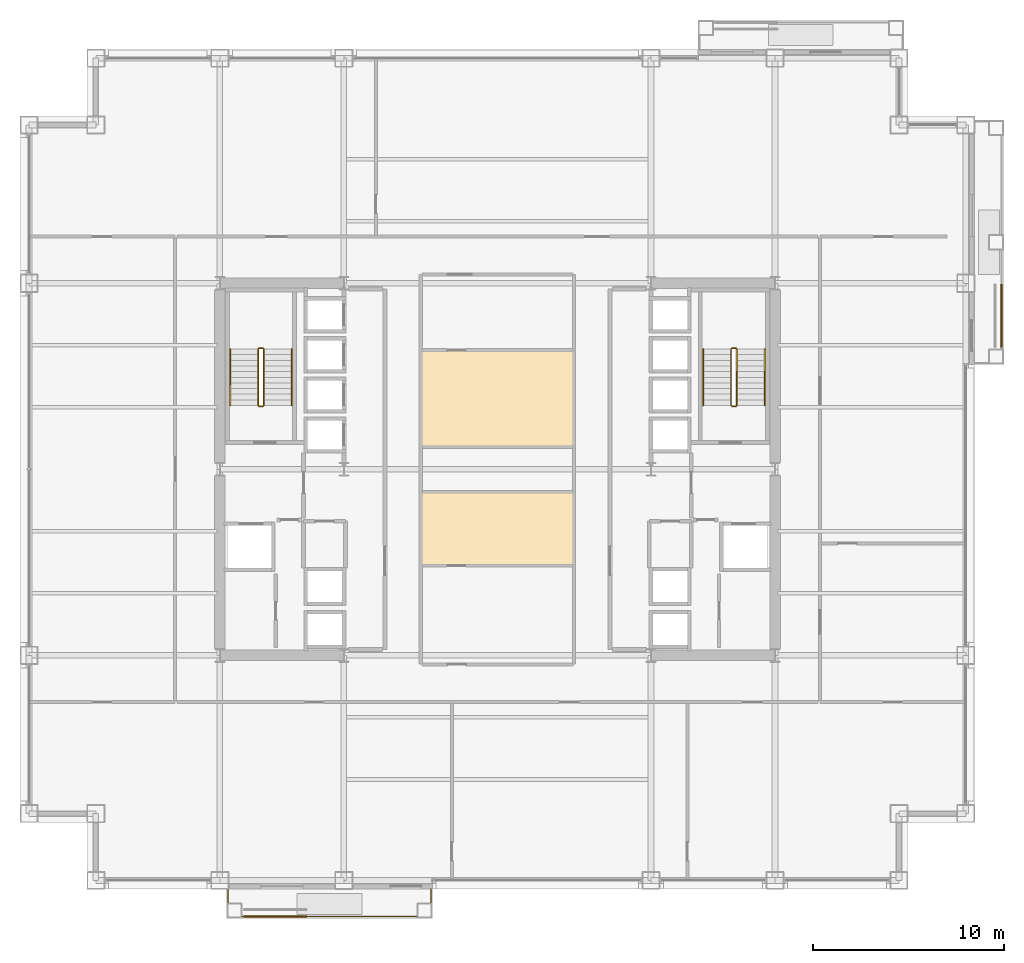
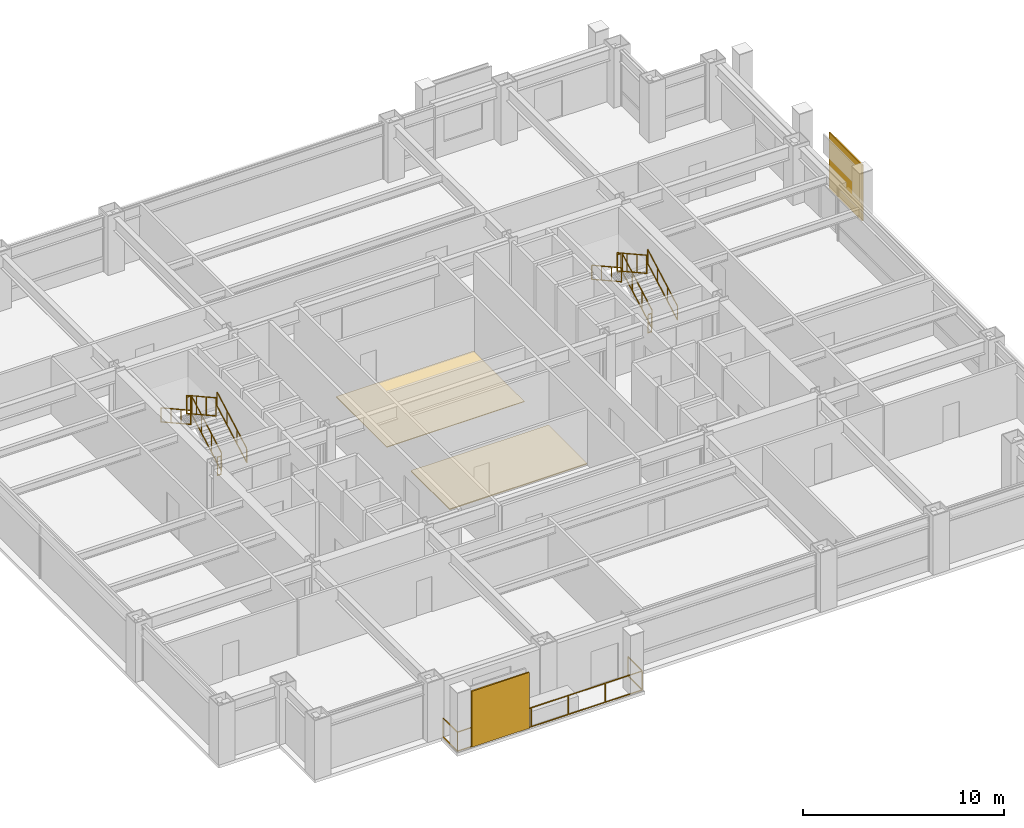
# One storey, part 29 of 31: 13 railings, 2 coverings, 2 shading devices.
"""IFC4 building model written with IfcOpenShell, lengths in metres."""

import ifcopenshell
import ifcopenshell.guid

model = None  # the IFC model being written
_history = None  # IfcOwnerHistory: only IFC2X3 demands one
_inside = {}  # id of a spatial element -> (the spatial element, [elements in it])
_under = {}  # id of a project, library or spatial element -> (it, [spatial elements below it])
_declared = {}  # id of a project -> (the project, [libraries it declares])
_typed = {}  # id of a type object -> (the type object, [elements of that type])
_made_of = {}  # id of a material, layer set ... -> (it, [elements and type objects made of it])


def new_model(schema):
    """Start an empty IFC model of exactly this schema.

    Asked for "IFC4X3", IfcOpenShell would pick the latest addendum, in which some entities
    have other attributes; the version numbers below select the first issue.
    IFC2X3 requires an IfcOwnerHistory on every rooted entity: one is made here for all.
    """
    global model, _history
    if schema == "IFC4X3":
        model = ifcopenshell.file(schema_version=(4, 3, 0, 0))
    else:
        model = ifcopenshell.file(schema=schema)
    _inside.clear()
    _under.clear()
    _declared.clear()
    _typed.clear()
    _made_of.clear()
    _history = None
    if model.schema == "IFC2X3":
        org = make("IfcOrganization", Name="unknown")
        user = make(
            "IfcPersonAndOrganization",
            ThePerson=make("IfcPerson", FamilyName="unknown"),
            TheOrganization=org,
        )
        app = make(
            "IfcApplication",
            ApplicationDeveloper=org,
            Version="unknown",
            ApplicationFullName="unknown",
            ApplicationIdentifier="unknown",
        )
        _history = make(
            "IfcOwnerHistory",
            OwningUser=user,
            OwningApplication=app,
            ChangeAction="ADDED",
            CreationDate=0,
        )
    return model


def make(cls, **values):
    """One entity of the class cls with the attributes given. An attribute that is None is left unset."""
    return model.create_entity(
        cls, **{name: value for name, value in values.items() if value is not None}
    )


def rooted(cls, **values):
    """An entity with a GlobalId (a new one), such as an element, a storey or a relation."""
    return make(cls, GlobalId=ifcopenshell.guid.new(), OwnerHistory=_history, **values)


def si_unit(unit_type, name, prefix=None):
    """IfcSIUnit, for example si_unit("LENGTHUNIT", "METRE", prefix="MILLI")."""
    return make("IfcSIUnit", UnitType=unit_type, Prefix=prefix, Name=name)


def assignment(units):
    """IfcUnitAssignment: the units of a project."""
    return None if units is None else make("IfcUnitAssignment", Units=units)


def point(xyz):
    """IfcCartesianPoint."""
    return None if xyz is None else make("IfcCartesianPoint", Coordinates=xyz)


def direction(xyz):
    """IfcDirection."""
    return None if xyz is None else make("IfcDirection", DirectionRatios=xyz)


def frame(location, z_axis=None, x_axis=None):
    """IfcAxis2Placement3D, a coordinate frame: its origin and axes. An axis left out is left unset."""
    return make(
        "IfcAxis2Placement3D",
        Location=point(location),
        Axis=direction(z_axis),
        RefDirection=direction(x_axis),
    )


def frame_2d(location, x_axis=None):
    """IfcAxis2Placement2D, a coordinate frame in the plane: its origin and x axis."""
    return make(
        "IfcAxis2Placement2D", Location=point(location), RefDirection=direction(x_axis)
    )


def origin():
    """The frame at (0, 0, 0) with its axes left unset."""
    return frame((0.0, 0.0, 0.0))


def origin_2d():
    """The frame at (0, 0) in the plane with its x axis left unset."""
    return frame_2d((0.0, 0.0))


def place(relative_to, where):
    """IfcLocalPlacement: puts the frame where relative to a parent placement (None: the world)."""
    return make(
        "IfcLocalPlacement", PlacementRelTo=relative_to, RelativePlacement=where
    )


def context(
    kind, dimensions, precision=None, world=None, true_north=None, identifier=None
):
    """IfcGeometricRepresentationContext, for example the 3D "Model" context."""
    return make(
        "IfcGeometricRepresentationContext",
        ContextIdentifier=identifier,
        ContextType=kind,
        CoordinateSpaceDimension=dimensions,
        Precision=precision,
        WorldCoordinateSystem=world,
        TrueNorth=true_north,
    )


def subcontext(parent, identifier, kind, view, scale=None):
    """IfcGeometricRepresentationSubContext, for example "Body" below "Model"."""
    return make(
        "IfcGeometricRepresentationSubContext",
        ContextIdentifier=identifier,
        ContextType=kind,
        ParentContext=parent,
        TargetScale=scale,
        TargetView=view,
    )


def project(units=None, contexts=None):
    """IfcProject with its units and contexts."""
    return rooted(
        "IfcProject",
        Name="project",
        RepresentationContexts=contexts,
        UnitsInContext=assignment(units),
    )


def spatial(cls, under=None, at=None, **own):
    """A site, building, storey or space (cls), placed at a placement, below another one or the project."""
    s = rooted(cls, ObjectPlacement=at, **own)
    if under is not None:
        _under.setdefault(under.id(), (under, []))[1].append(s)
    return s


def polyline(points):
    """IfcPolyline through the points."""
    return make("IfcPolyline", Points=[point(p) for p in points])


def profile(cls, at=None, kind="AREA", **sizes):
    """A parametric profile (cls). Its sizes go by their IFC names, for example OverallWidth=200.0."""
    return make(cls, ProfileType=kind, Position=at, **sizes)


def rectangle(**sizes):
    """IfcRectangleProfileDef."""
    return profile("IfcRectangleProfileDef", **sizes)


def outline(outer, holes=None, kind="AREA"):
    """IfcArbitraryClosedProfileDef: a profile drawn as a closed curve; with holes, ...WithVoids."""
    if holes is None:
        return make("IfcArbitraryClosedProfileDef", ProfileType=kind, OuterCurve=outer)
    return make(
        "IfcArbitraryProfileDefWithVoids",
        ProfileType=kind,
        OuterCurve=outer,
        InnerCurves=holes,
    )


def extrude(swept, where, along, depth):
    """IfcExtrudedAreaSolid: the profile swept, set in the frame where, extruded along a direction by depth."""
    return make(
        "IfcExtrudedAreaSolid",
        SweptArea=swept,
        Position=where,
        ExtrudedDirection=direction(along),
        Depth=depth,
    )


def shape(context_of_items, identifier, shape_type, items):
    """IfcShapeRepresentation: the items that make up one representation, for example the "Body"."""
    return make(
        "IfcShapeRepresentation",
        ContextOfItems=context_of_items,
        RepresentationIdentifier=identifier,
        RepresentationType=shape_type,
        Items=items,
    )


def material(Name=None, Category=None):
    """IfcMaterial."""
    return make("IfcMaterial", Name=Name, Category=Category)


def layer(
    of_material, thickness, ventilated=None, Name=None, Category=None, Priority=None
):
    """IfcMaterialLayer: one layer of a wall or slab, of a material (None: an air gap)."""
    return make(
        "IfcMaterialLayer",
        Material=of_material,
        LayerThickness=thickness,
        IsVentilated=ventilated,
        Name=Name,
        Category=Category,
        Priority=Priority,
    )


def layer_set(layers, Name=None):
    """IfcMaterialLayerSet."""
    return make("IfcMaterialLayerSet", MaterialLayers=layers, LayerSetName=Name)


def made_of(thing, what):
    """Note that an element or type object is made of a material, layer set ...; save() writes the relation."""
    if what is not None:
        _made_of.setdefault(what.id(), (what, []))[1].append(thing)
    return thing


def type_object(cls, material=None, **own):
    """A type object (cls), such as IfcWallType, which elements share."""
    return made_of(rooted(cls, **own), material)


def element(
    cls,
    number,
    at=None,
    inside=None,
    cuts=None,
    type_object=None,
    material=None,
    context=None,
    identifier="Body",
    shape_type=None,
    held_by="IfcProductDefinitionShape",
    body=None,
    shapes=None,
    **own,
):
    """One element of the class cls, such as IfcWall. Its Tag is "e" and its number.

    at: its placement. inside: the storey or other place that contains it. cuts: it is an
    opening in that element (IfcRelVoidsElement). A single representation is given by context,
    identifier, shape_type and body (its items); several are given by shapes. held_by: the class
    of the entity that holds the representations. save() writes the other relations.
    """
    e = rooted(cls, Tag="e%d" % number, ObjectPlacement=at, **own)
    if body is not None:
        shapes = [shape(context, identifier, shape_type, body)]
    if shapes is not None:
        e.Representation = make(held_by, Representations=shapes)
    if inside is not None:
        _inside.setdefault(inside.id(), (inside, []))[1].append(e)
    if cuts is not None:
        rooted(
            "IfcRelVoidsElement", RelatingBuildingElement=cuts, RelatedOpeningElement=e
        )
    if type_object is not None:
        _typed.setdefault(type_object.id(), (type_object, []))[1].append(e)
    return made_of(e, material)


def aggregate(whole, parts):
    """IfcRelAggregates: a whole, such as a stair, and the parts it consists of."""
    return rooted("IfcRelAggregates", RelatingObject=whole, RelatedObjects=parts)


def save(model, path):
    """Write the relations noted so far, then the file.

    IfcRelAggregates (storeys below a building ...), IfcRelContainedInSpatialStructure (elements
    in a storey), IfcRelDefinesByType, IfcRelAssociatesMaterial and IfcRelDeclares: one each for
    every whole, place, type object, material and project.
    """
    for whole, parts in _under.values():
        aggregate(whole, parts)
    for where, things in _inside.values():
        rooted(
            "IfcRelContainedInSpatialStructure",
            RelatedElements=things,
            RelatingStructure=where,
        )
    for kind, things in _typed.values():
        rooted("IfcRelDefinesByType", RelatedObjects=things, RelatingType=kind)
    for what, things in _made_of.values():
        rooted("IfcRelAssociatesMaterial", RelatedObjects=things, RelatingMaterial=what)
    for by, libraries in _declared.values():
        rooted("IfcRelDeclares", RelatingContext=by, RelatedDefinitions=libraries)
    model.write(path)


model = new_model("IFC4")

# Units and contexts
model_context = context("Model", 3, precision=1e-05, world=origin(), true_north=direction((0.0, 1.0)))
body_context = subcontext(model_context, "Body", "Model", "MODEL_VIEW")
ifc_project = project(units=[si_unit("LENGTHUNIT", "METRE"), si_unit("AREAUNIT", "SQUARE_METRE"), si_unit("VOLUMEUNIT", "CUBIC_METRE"), si_unit("PLANEANGLEUNIT", "RADIAN"), si_unit("MASSUNIT", "GRAM", prefix="KILO")], contexts=[model_context])

# Site, building, storey
site_placement = place(None, origin())
site = spatial("IfcSite", under=ifc_project, at=site_placement, CompositionType="ELEMENT")
building_placement = place(site_placement, origin())
building = spatial("IfcBuilding", under=site, at=building_placement, Name="Brelmoor Portico Tower", CompositionType="ELEMENT")
storey_placement = place(building_placement, frame((0.0, 0.0, 31.199951171875)))
storey = spatial("IfcBuildingStorey", under=building, at=storey_placement, Name="L07", CompositionType="ELEMENT", Elevation=31.199951171875)

# Coverings
ifc_material_1 = material(Name="Calcium-Sulphate Raised Access Floor Panel", Category="steel")
ifc_layer_1 = layer(ifc_material_1, 0.06005859375)
ifc_layer_set_1 = layer_set([ifc_layer_1], Name="Calcium-Sulphate Raised Access Floor Panel")
covering_type_1 = type_object("IfcCoveringType", Name="CV-FLR-ACCESS-60", PredefinedType="FLOORING", material=ifc_layer_set_1)
covering_1_placement = place(storey_placement, origin())
element("IfcCovering", 1, at=covering_1_placement, inside=storey, type_object=covering_type_1, Name="L07 Architectural Floor Finish 02", PredefinedType="FLOORING", context=body_context, shape_type="SweptSolid", body=[
    extrude(outline(polyline([(-3.9599609375, -5.06005859375), (-3.9599609375, -1.199951171875), (3.9599609375, -1.199951171875), (3.9599609375, -5.06005859375), (-3.9599609375, -5.06005859375)])), origin(), (0.0, 0.0, 1.0), 0.06005859375),
])
ifc_material_2 = material(Name="Honed Pearl-Grey Granite Paver Finish", Category="masonry")
ifc_layer_2 = layer(ifc_material_2, 0.0380859375)
ifc_layer_set_2 = layer_set([ifc_layer_2], Name="Honed Pearl-Grey Granite Paver Finish")
covering_type_2 = type_object("IfcCoveringType", Name="CV-FLR-GRANITE-38", PredefinedType="FLOORING", material=ifc_layer_set_2)
covering_2_placement = place(storey_placement, origin())
element("IfcCovering", 2, at=covering_2_placement, inside=storey, type_object=covering_type_2, Name="L07 Architectural Floor Finish 01", PredefinedType="FLOORING", context=body_context, shape_type="SweptSolid", body=[
    extrude(outline(polyline([(-3.9599609375, 1.199951171875), (-3.9599609375, 6.260009765625), (3.9599609375, 6.260009765625), (3.9599609375, 1.199951171875), (-3.9599609375, 1.199951171875)])), origin(), (0.0, 0.0, 1.0), 0.0380859375),
])

# Railings
ifc_material_3 = material(Name="Perforated Pale Champagne Aluminium Fretwork Guard", Category="aluminium")
railing_type_1 = type_object("IfcRailingType", Name="RL-BALUSTRADE-1200", PredefinedType="BALUSTRADE", material=ifc_material_3)
railing_1_placement = place(storey_placement, frame((-14.1201171875, -22.0, 0.0)))
element("IfcRailing", 3, at=railing_1_placement, inside=storey, type_object=railing_type_1, Name="L07 Tree Balcony Fretwork Balustrade S", PredefinedType="BALUSTRADE", context=body_context, shape_type="SweptSolid", body=[
    extrude(rectangle(XDim=0.048095703125, YDim=0.048095703125, at=origin_2d()), frame((0.0, 0.0, 1.17578125), z_axis=(0.0, -1.0, 0.0), x_axis=(1.0, 0.0, 0.0)), (0.0, 0.0, 1.0), 1.429931640625),
    extrude(rectangle(XDim=0.048095703125, YDim=0.048095703125, at=origin_2d()), frame((0.0, 0.0, 0.02392578125), z_axis=(0.0, -1.0, 0.0), x_axis=(1.0, 0.0, 0.0)), (0.0, 0.0, 1.0), 1.429931640625),
    extrude(rectangle(XDim=0.048095703125, YDim=0.048095703125, at=origin_2d()), frame((0.0, -1.429931640625, 1.17578125), z_axis=(1.0, 0.0, 0.0), x_axis=(0.0, 1.0, 0.0)), (0.0, 0.0, 1.0), 10.64013671875),
    extrude(rectangle(XDim=0.048095703125, YDim=0.048095703125, at=origin_2d()), frame((0.0, -1.429931640625, 0.02392578125), z_axis=(1.0, 0.0, 0.0), x_axis=(0.0, 1.0, 0.0)), (0.0, 0.0, 1.0), 10.64013671875),
    extrude(rectangle(XDim=0.048095703125, YDim=0.048095703125, at=origin_2d()), frame((10.64013671875, -1.429931640625, 1.17578125), z_axis=(0.0, 1.0, 0.0), x_axis=(-1.0, 0.0, 0.0)), (0.0, 0.0, 1.0), 1.429931640625),
    extrude(rectangle(XDim=0.048095703125, YDim=0.048095703125, at=origin_2d()), frame((10.64013671875, -1.429931640625, 0.02392578125), z_axis=(0.0, 1.0, 0.0), x_axis=(-1.0, 0.0, 0.0)), (0.0, 0.0, 1.0), 1.429931640625),
    extrude(rectangle(XDim=0.0419921875, YDim=0.0419921875, at=origin_2d()), origin(), (0.0, 0.0, 1.0), 1.15185546875),
    extrude(rectangle(XDim=0.0419921875, YDim=0.0419921875, at=origin_2d()), frame((0.0, -1.429931640625, 0.0)), (0.0, 0.0, 1.0), 1.15185546875),
    extrude(rectangle(XDim=0.0419921875, YDim=0.0419921875, at=origin_2d()), frame((2.1279296875, -1.429931640625, 0.0)), (0.0, 0.0, 1.0), 1.15185546875),
    extrude(rectangle(XDim=0.0419921875, YDim=0.0419921875, at=origin_2d()), frame((4.256103515625, -1.429931640625, 0.0)), (0.0, 0.0, 1.0), 1.15185546875),
    extrude(rectangle(XDim=0.0419921875, YDim=0.0419921875, at=origin_2d()), frame((6.384033203125, -1.429931640625, 0.0)), (0.0, 0.0, 1.0), 1.15185546875),
    extrude(rectangle(XDim=0.0419921875, YDim=0.0419921875, at=origin_2d()), frame((8.51220703125, -1.429931640625, 0.0)), (0.0, 0.0, 1.0), 1.15185546875),
    extrude(rectangle(XDim=0.0419921875, YDim=0.0419921875, at=origin_2d()), frame((10.64013671875, -1.429931640625, 0.0)), (0.0, 0.0, 1.0), 1.15185546875),
    extrude(rectangle(XDim=0.0419921875, YDim=0.0419921875, at=origin_2d()), frame((10.64013671875, 0.0, 0.0)), (0.0, 0.0, 1.0), 1.15185546875),
])
ifc_material_4 = material(Name="Painted Tubular Steel Q235B", Category="steel")
railing_type_2 = type_object("IfcRailingType", Name="RL-STAIR-GUARD", PredefinedType="GUARDRAIL", material=ifc_material_4)
railing_2_placement = place(storey_placement, frame((-12.239990234375, 3.35009765625, 0.16357421875)))
element("IfcRailing", 4, at=railing_2_placement, inside=storey, type_object=railing_type_2, Name="L07 ST-W stair guard 1", PredefinedType="GUARDRAIL", context=body_context, shape_type="SweptSolid", body=[
    extrude(rectangle(XDim=0.048095703125, YDim=0.048095703125, at=origin_2d()), frame((0.0, 0.0, 1.1259765625), z_axis=(0.0, 0.874457516365, 0.485102104791), x_axis=(-1.0, 0.0, 0.0)), (0.0, 0.0, 1.0), 3.37353515625),
    extrude(rectangle(XDim=0.048095703125, YDim=0.048095703125, at=origin_2d()), frame((0.0, 0.0, 0.02392578125), z_axis=(0.0, 0.874457516365, 0.485102104791), x_axis=(-1.0, 0.0, 0.0)), (0.0, 0.0, 1.0), 3.37353515625),
    extrude(rectangle(XDim=0.0419921875, YDim=0.0419921875, at=origin_2d()), origin(), (0.0, 0.0, 1.0), 1.101806640625),
    extrude(rectangle(XDim=0.0419921875, YDim=0.0419921875, at=origin_2d()), frame((0.0, 0.9833984375, 0.54541015625)), (0.0, 0.0, 1.0), 1.101806640625),
    extrude(rectangle(XDim=0.0419921875, YDim=0.0419921875, at=origin_2d()), frame((0.0, 1.966552734375, 1.091064453125)), (0.0, 0.0, 1.0), 1.101806640625),
    extrude(rectangle(XDim=0.0419921875, YDim=0.0419921875, at=origin_2d()), frame((0.0, 2.949951171875, 1.636474609375)), (0.0, 0.0, 1.0), 1.101806640625),
])
railing_3_placement = place(storey_placement, frame((-12.2900390625, 6.35009765625, 1.800048828125)))
element("IfcRailing", 5, at=railing_3_placement, inside=storey, type_object=railing_type_2, Name="L07 ST-W stair guard 2", PredefinedType="GUARDRAIL", context=body_context, shape_type="SweptSolid", body=[
    extrude(rectangle(XDim=0.048095703125, YDim=0.048095703125, at=origin_2d()), frame((0.0, 0.0, 1.1259765625), z_axis=(-1.0, 0.0, 0.0), x_axis=(0.0, -1.0, 0.0)), (0.0, 0.0, 1.0), 0.199951171875),
    extrude(rectangle(XDim=0.048095703125, YDim=0.048095703125, at=origin_2d()), frame((0.0, 0.0, 0.02392578125), z_axis=(-1.0, 0.0, 0.0), x_axis=(0.0, -1.0, 0.0)), (0.0, 0.0, 1.0), 0.199951171875),
    extrude(rectangle(XDim=0.0419921875, YDim=0.0419921875, at=origin_2d()), origin(), (0.0, 0.0, 1.0), 1.101806640625),
    extrude(rectangle(XDim=0.0419921875, YDim=0.0419921875, at=origin_2d()), frame((-0.199951171875, 0.0, 0.0)), (0.0, 0.0, 1.0), 1.101806640625),
])
railing_4_placement = place(storey_placement, frame((-12.5400390625, 6.300048828125, 1.963623046875)))
element("IfcRailing", 6, at=railing_4_placement, inside=storey, type_object=railing_type_2, Name="L07 ST-W stair guard 3", PredefinedType="GUARDRAIL", context=body_context, shape_type="SweptSolid", body=[
    extrude(rectangle(XDim=0.048095703125, YDim=0.048095703125, at=origin_2d()), frame((0.0, 0.0, 1.1259765625), z_axis=(0.0, -0.874457516365, 0.485102104791), x_axis=(1.0, 0.0, 0.0)), (0.0, 0.0, 1.0), 3.37353515625),
    extrude(rectangle(XDim=0.048095703125, YDim=0.048095703125, at=origin_2d()), frame((0.0, 0.0, 0.02392578125), z_axis=(0.0, -0.874457516365, 0.485102104791), x_axis=(1.0, 0.0, 0.0)), (0.0, 0.0, 1.0), 3.37353515625),
    extrude(rectangle(XDim=0.0419921875, YDim=0.0419921875, at=origin_2d()), origin(), (0.0, 0.0, 1.0), 1.101806640625),
    extrude(rectangle(XDim=0.0419921875, YDim=0.0419921875, at=origin_2d()), frame((0.0, -0.9833984375, 0.54541015625)), (0.0, 0.0, 1.0), 1.101806640625),
    extrude(rectangle(XDim=0.0419921875, YDim=0.0419921875, at=origin_2d()), frame((0.0, -1.966552734375, 1.091064453125)), (0.0, 0.0, 1.0), 1.101806640625),
    extrude(rectangle(XDim=0.0419921875, YDim=0.0419921875, at=origin_2d()), frame((0.0, -2.949951171875, 1.636474609375)), (0.0, 0.0, 1.0), 1.101806640625),
])
railing_5_placement = place(storey_placement, frame((-12.2900390625, 3.300048828125, 0.0)))
element("IfcRailing", 7, at=railing_5_placement, inside=storey, type_object=railing_type_2, Name="L07 ST-W stair guard 4", PredefinedType="GUARDRAIL", context=body_context, shape_type="SweptSolid", body=[
    extrude(rectangle(XDim=0.048095703125, YDim=0.048095703125, at=origin_2d()), frame((0.0, 0.0, 1.1259765625), z_axis=(-1.0, 0.0, 0.0), x_axis=(0.0, -1.0, 0.0)), (0.0, 0.0, 1.0), 0.199951171875),
    extrude(rectangle(XDim=0.048095703125, YDim=0.048095703125, at=origin_2d()), frame((0.0, 0.0, 0.02392578125), z_axis=(-1.0, 0.0, 0.0), x_axis=(0.0, -1.0, 0.0)), (0.0, 0.0, 1.0), 0.199951171875),
    extrude(rectangle(XDim=0.0419921875, YDim=0.0419921875, at=origin_2d()), origin(), (0.0, 0.0, 1.0), 1.101806640625),
    extrude(rectangle(XDim=0.0419921875, YDim=0.0419921875, at=origin_2d()), frame((-0.199951171875, 0.0, 0.0)), (0.0, 0.0, 1.0), 1.101806640625),
])
railing_6_placement = place(storey_placement, frame((12.5400390625, 3.35009765625, 0.16357421875)))
element("IfcRailing", 8, at=railing_6_placement, inside=storey, type_object=railing_type_2, Name="L07 ST-E stair guard 1", PredefinedType="GUARDRAIL", context=body_context, shape_type="SweptSolid", body=[
    extrude(rectangle(XDim=0.048095703125, YDim=0.048095703125, at=origin_2d()), frame((0.0, 0.0, 1.1259765625), z_axis=(0.0, 0.874457516365, 0.485102104791), x_axis=(-1.0, 0.0, 0.0)), (0.0, 0.0, 1.0), 3.37353515625),
    extrude(rectangle(XDim=0.048095703125, YDim=0.048095703125, at=origin_2d()), frame((0.0, 0.0, 0.02392578125), z_axis=(0.0, 0.874457516365, 0.485102104791), x_axis=(-1.0, 0.0, 0.0)), (0.0, 0.0, 1.0), 3.37353515625),
    extrude(rectangle(XDim=0.0419921875, YDim=0.0419921875, at=origin_2d()), origin(), (0.0, 0.0, 1.0), 1.101806640625),
    extrude(rectangle(XDim=0.0419921875, YDim=0.0419921875, at=origin_2d()), frame((0.0, 0.9833984375, 0.54541015625)), (0.0, 0.0, 1.0), 1.101806640625),
    extrude(rectangle(XDim=0.0419921875, YDim=0.0419921875, at=origin_2d()), frame((0.0, 1.966552734375, 1.091064453125)), (0.0, 0.0, 1.0), 1.101806640625),
    extrude(rectangle(XDim=0.0419921875, YDim=0.0419921875, at=origin_2d()), frame((0.0, 2.949951171875, 1.636474609375)), (0.0, 0.0, 1.0), 1.101806640625),
])
railing_7_placement = place(storey_placement, frame((12.489990234375, 6.35009765625, 1.800048828125)))
element("IfcRailing", 9, at=railing_7_placement, inside=storey, type_object=railing_type_2, Name="L07 ST-E stair guard 2", PredefinedType="GUARDRAIL", context=body_context, shape_type="SweptSolid", body=[
    extrude(rectangle(XDim=0.048095703125, YDim=0.048095703125, at=origin_2d()), frame((0.0, 0.0, 1.1259765625), z_axis=(-1.0, 0.0, 0.0), x_axis=(0.0, -1.0, 0.0)), (0.0, 0.0, 1.0), 0.199951171875),
    extrude(rectangle(XDim=0.048095703125, YDim=0.048095703125, at=origin_2d()), frame((0.0, 0.0, 0.02392578125), z_axis=(-1.0, 0.0, 0.0), x_axis=(0.0, -1.0, 0.0)), (0.0, 0.0, 1.0), 0.199951171875),
    extrude(rectangle(XDim=0.0419921875, YDim=0.0419921875, at=origin_2d()), origin(), (0.0, 0.0, 1.0), 1.101806640625),
    extrude(rectangle(XDim=0.0419921875, YDim=0.0419921875, at=origin_2d()), frame((-0.199951171875, 0.0, 0.0)), (0.0, 0.0, 1.0), 1.101806640625),
])
railing_8_placement = place(storey_placement, frame((12.239990234375, 6.300048828125, 1.963623046875)))
element("IfcRailing", 10, at=railing_8_placement, inside=storey, type_object=railing_type_2, Name="L07 ST-E stair guard 3", PredefinedType="GUARDRAIL", context=body_context, shape_type="SweptSolid", body=[
    extrude(rectangle(XDim=0.048095703125, YDim=0.048095703125, at=origin_2d()), frame((0.0, 0.0, 1.1259765625), z_axis=(0.0, -0.874457516365, 0.485102104791), x_axis=(1.0, 0.0, 0.0)), (0.0, 0.0, 1.0), 3.37353515625),
    extrude(rectangle(XDim=0.048095703125, YDim=0.048095703125, at=origin_2d()), frame((0.0, 0.0, 0.02392578125), z_axis=(0.0, -0.874457516365, 0.485102104791), x_axis=(1.0, 0.0, 0.0)), (0.0, 0.0, 1.0), 3.37353515625),
    extrude(rectangle(XDim=0.0419921875, YDim=0.0419921875, at=origin_2d()), origin(), (0.0, 0.0, 1.0), 1.101806640625),
    extrude(rectangle(XDim=0.0419921875, YDim=0.0419921875, at=origin_2d()), frame((0.0, -0.9833984375, 0.54541015625)), (0.0, 0.0, 1.0), 1.101806640625),
    extrude(rectangle(XDim=0.0419921875, YDim=0.0419921875, at=origin_2d()), frame((0.0, -1.966552734375, 1.091064453125)), (0.0, 0.0, 1.0), 1.101806640625),
    extrude(rectangle(XDim=0.0419921875, YDim=0.0419921875, at=origin_2d()), frame((0.0, -2.949951171875, 1.636474609375)), (0.0, 0.0, 1.0), 1.101806640625),
])
railing_9_placement = place(storey_placement, frame((12.489990234375, 3.300048828125, 0.0)))
element("IfcRailing", 11, at=railing_9_placement, inside=storey, type_object=railing_type_2, Name="L07 ST-E stair guard 4", PredefinedType="GUARDRAIL", context=body_context, shape_type="SweptSolid", body=[
    extrude(rectangle(XDim=0.048095703125, YDim=0.048095703125, at=origin_2d()), frame((0.0, 0.0, 1.1259765625), z_axis=(-1.0, 0.0, 0.0), x_axis=(0.0, -1.0, 0.0)), (0.0, 0.0, 1.0), 0.199951171875),
    extrude(rectangle(XDim=0.048095703125, YDim=0.048095703125, at=origin_2d()), frame((0.0, 0.0, 0.02392578125), z_axis=(-1.0, 0.0, 0.0), x_axis=(0.0, -1.0, 0.0)), (0.0, 0.0, 1.0), 0.199951171875),
    extrude(rectangle(XDim=0.0419921875, YDim=0.0419921875, at=origin_2d()), origin(), (0.0, 0.0, 1.0), 1.101806640625),
    extrude(rectangle(XDim=0.0419921875, YDim=0.0419921875, at=origin_2d()), frame((-0.199951171875, 0.0, 0.0)), (0.0, 0.0, 1.0), 1.101806640625),
])
ifc_material_5 = material(Name="Brushed Stainless Steel 304", Category="steel")
railing_type_3 = type_object("IfcRailingType", Name="RL-STAIR-HANDRAIL", PredefinedType="HANDRAIL", material=ifc_material_5)
railing_10_placement = place(storey_placement, frame((-10.780029296875, 3.35009765625, 0.16357421875)))
element("IfcRailing", 12, at=railing_10_placement, inside=storey, type_object=railing_type_3, Name="L07 ST-W stair handrail 1", PredefinedType="HANDRAIL", context=body_context, shape_type="SweptSolid", body=[
    extrude(rectangle(XDim=0.048095703125, YDim=0.048095703125, at=origin_2d()), frame((0.0, 0.0, 0.8759765625), z_axis=(0.0, 0.874457516365, 0.485102104791), x_axis=(-1.0, 0.0, 0.0)), (0.0, 0.0, 1.0), 3.37353515625),
    extrude(rectangle(XDim=0.048095703125, YDim=0.048095703125, at=origin_2d()), frame((0.0, 0.0, 0.02392578125), z_axis=(0.0, 0.874457516365, 0.485102104791), x_axis=(-1.0, 0.0, 0.0)), (0.0, 0.0, 1.0), 3.37353515625),
    extrude(rectangle(XDim=0.0419921875, YDim=0.0419921875, at=origin_2d()), origin(), (0.0, 0.0, 1.0), 0.851806640625),
    extrude(rectangle(XDim=0.0419921875, YDim=0.0419921875, at=origin_2d()), frame((0.0, 0.9833984375, 0.54541015625)), (0.0, 0.0, 1.0), 0.851806640625),
    extrude(rectangle(XDim=0.0419921875, YDim=0.0419921875, at=origin_2d()), frame((0.0, 1.966552734375, 1.091064453125)), (0.0, 0.0, 1.0), 0.851806640625),
    extrude(rectangle(XDim=0.0419921875, YDim=0.0419921875, at=origin_2d()), frame((0.0, 2.949951171875, 1.636474609375)), (0.0, 0.0, 1.0), 0.851806640625),
])
railing_11_placement = place(storey_placement, frame((-14.0, 6.300048828125, 1.963623046875)))
element("IfcRailing", 13, at=railing_11_placement, inside=storey, type_object=railing_type_3, Name="L07 ST-W stair handrail 2", PredefinedType="HANDRAIL", context=body_context, shape_type="SweptSolid", body=[
    extrude(rectangle(XDim=0.048095703125, YDim=0.048095703125, at=origin_2d()), frame((0.0, 0.0, 0.8759765625), z_axis=(0.0, -0.874457516365, 0.485102104791), x_axis=(1.0, 0.0, 0.0)), (0.0, 0.0, 1.0), 3.37353515625),
    extrude(rectangle(XDim=0.048095703125, YDim=0.048095703125, at=origin_2d()), frame((0.0, 0.0, 0.02392578125), z_axis=(0.0, -0.874457516365, 0.485102104791), x_axis=(1.0, 0.0, 0.0)), (0.0, 0.0, 1.0), 3.37353515625),
    extrude(rectangle(XDim=0.0419921875, YDim=0.0419921875, at=origin_2d()), origin(), (0.0, 0.0, 1.0), 0.851806640625),
    extrude(rectangle(XDim=0.0419921875, YDim=0.0419921875, at=origin_2d()), frame((0.0, -0.9833984375, 0.54541015625)), (0.0, 0.0, 1.0), 0.851806640625),
    extrude(rectangle(XDim=0.0419921875, YDim=0.0419921875, at=origin_2d()), frame((0.0, -1.966552734375, 1.091064453125)), (0.0, 0.0, 1.0), 0.851806640625),
    extrude(rectangle(XDim=0.0419921875, YDim=0.0419921875, at=origin_2d()), frame((0.0, -2.949951171875, 1.636474609375)), (0.0, 0.0, 1.0), 0.851806640625),
])
railing_12_placement = place(storey_placement, frame((14.0, 3.35009765625, 0.16357421875)))
element("IfcRailing", 14, at=railing_12_placement, inside=storey, type_object=railing_type_3, Name="L07 ST-E stair handrail 1", PredefinedType="HANDRAIL", context=body_context, shape_type="SweptSolid", body=[
    extrude(rectangle(XDim=0.048095703125, YDim=0.048095703125, at=origin_2d()), frame((0.0, 0.0, 0.8759765625), z_axis=(0.0, 0.874457516365, 0.485102104791), x_axis=(-1.0, 0.0, 0.0)), (0.0, 0.0, 1.0), 3.37353515625),
    extrude(rectangle(XDim=0.048095703125, YDim=0.048095703125, at=origin_2d()), frame((0.0, 0.0, 0.02392578125), z_axis=(0.0, 0.874457516365, 0.485102104791), x_axis=(-1.0, 0.0, 0.0)), (0.0, 0.0, 1.0), 3.37353515625),
    extrude(rectangle(XDim=0.0419921875, YDim=0.0419921875, at=origin_2d()), origin(), (0.0, 0.0, 1.0), 0.851806640625),
    extrude(rectangle(XDim=0.0419921875, YDim=0.0419921875, at=origin_2d()), frame((0.0, 0.9833984375, 0.54541015625)), (0.0, 0.0, 1.0), 0.851806640625),
    extrude(rectangle(XDim=0.0419921875, YDim=0.0419921875, at=origin_2d()), frame((0.0, 1.966552734375, 1.091064453125)), (0.0, 0.0, 1.0), 0.851806640625),
    extrude(rectangle(XDim=0.0419921875, YDim=0.0419921875, at=origin_2d()), frame((0.0, 2.949951171875, 1.636474609375)), (0.0, 0.0, 1.0), 0.851806640625),
])
railing_13_placement = place(storey_placement, frame((10.780029296875, 6.300048828125, 1.963623046875)))
element("IfcRailing", 15, at=railing_13_placement, inside=storey, type_object=railing_type_3, Name="L07 ST-E stair handrail 2", PredefinedType="HANDRAIL", context=body_context, shape_type="SweptSolid", body=[
    extrude(rectangle(XDim=0.048095703125, YDim=0.048095703125, at=origin_2d()), frame((0.0, 0.0, 0.8759765625), z_axis=(0.0, -0.874457516365, 0.485102104791), x_axis=(1.0, 0.0, 0.0)), (0.0, 0.0, 1.0), 3.37353515625),
    extrude(rectangle(XDim=0.048095703125, YDim=0.048095703125, at=origin_2d()), frame((0.0, 0.0, 0.02392578125), z_axis=(0.0, -0.874457516365, 0.485102104791), x_axis=(1.0, 0.0, 0.0)), (0.0, 0.0, 1.0), 3.37353515625),
    extrude(rectangle(XDim=0.0419921875, YDim=0.0419921875, at=origin_2d()), origin(), (0.0, 0.0, 1.0), 0.851806640625),
    extrude(rectangle(XDim=0.0419921875, YDim=0.0419921875, at=origin_2d()), frame((0.0, -0.9833984375, 0.54541015625)), (0.0, 0.0, 1.0), 0.851806640625),
    extrude(rectangle(XDim=0.0419921875, YDim=0.0419921875, at=origin_2d()), frame((0.0, -1.966552734375, 1.091064453125)), (0.0, 0.0, 1.0), 0.851806640625),
    extrude(rectangle(XDim=0.0419921875, YDim=0.0419921875, at=origin_2d()), frame((0.0, -2.949951171875, 1.636474609375)), (0.0, 0.0, 1.0), 0.851806640625),
])

# Shading devices
ifc_material_6 = material(Name="Powder-Coated Aluminium Shuttered Jalousie", Category="aluminium")
ifc_layer_3 = layer(ifc_material_6, 0.080078125)
ifc_layer_set_3 = layer_set([ifc_layer_3], Name="Powder-Coated Aluminium Shuttered Jalousie")
shading_device_type = type_object("IfcShadingDeviceType", Name="SD-JALOUSIE-LOGGIA", PredefinedType="JALOUSIE", material=ifc_layer_set_3)
for number, where, z_axis, x_axis, name in (
    (16, (-11.64990234375, -23.429931640625, 0.0), (0.0, 0.0, 1.0), (1.0, 0.0, 0.0), "L07 Loggia Shuttered Jalousie S"),
    (17, (26.429931640625, 8.050048828125, 0.0), (0.0, 0.0, 1.0), (0.0, 1.0, 0.0), "L07 Loggia Shuttered Jalousie E"),
):
    element("IfcShadingDevice", number, at=place(storey_placement, frame(where, z_axis=z_axis, x_axis=x_axis)), inside=storey, type_object=shading_device_type, Name=name, PredefinedType="JALOUSIE", context=body_context, shape_type="SweptSolid", body=[
        extrude(rectangle(XDim=3.300048828125, YDim=0.080078125, at=origin_2d()), origin(), (0.0, 0.0, 1.0), 3.39990234375),
    ])

save(model, "model.ifc")
